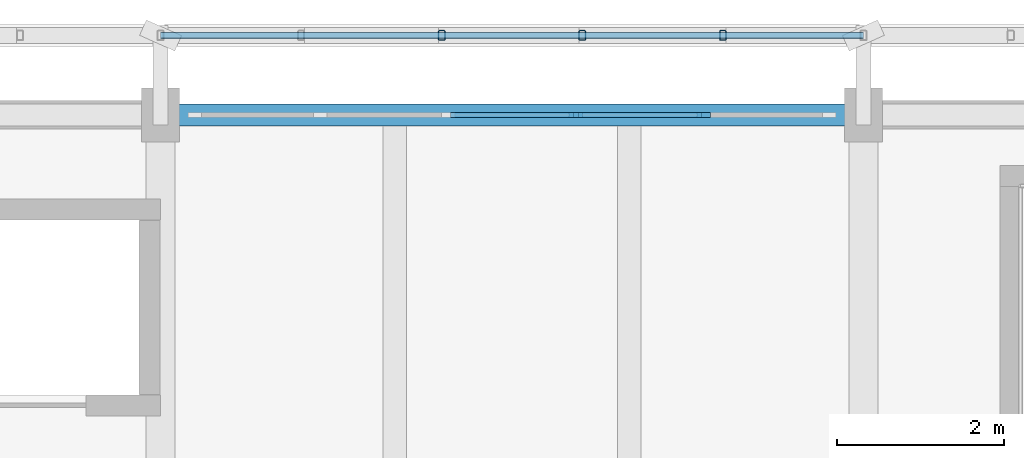
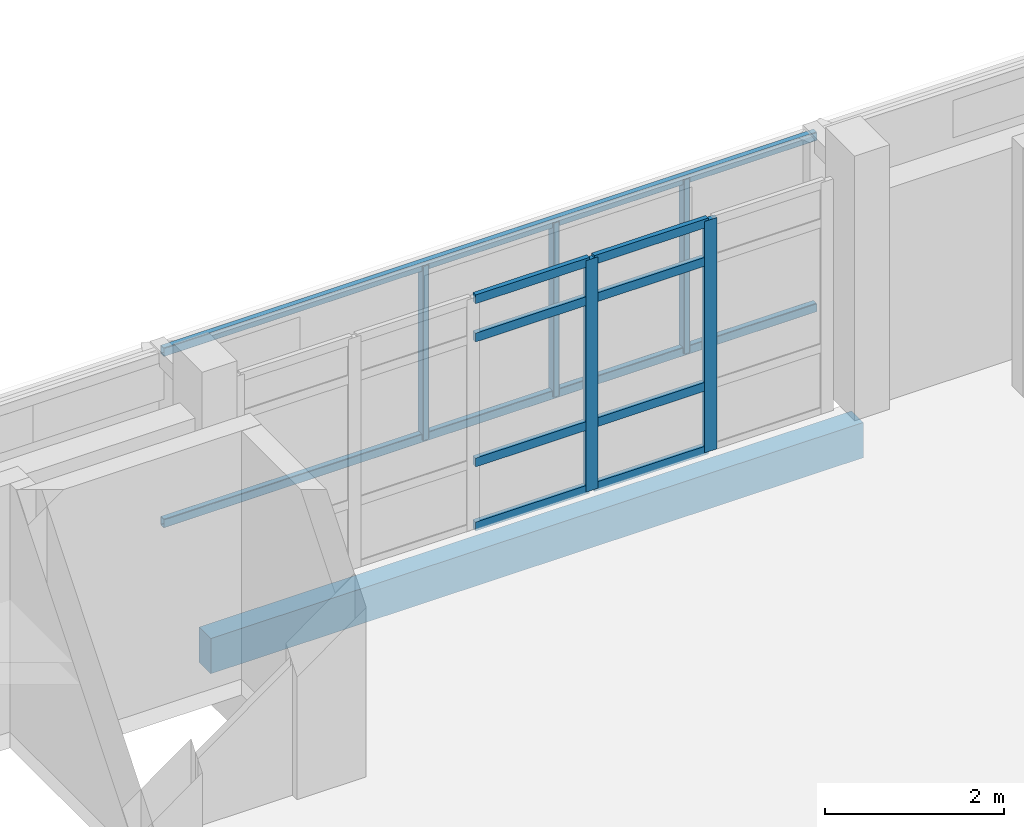
# One storey, part 7 of 30: 15 members, 1 beam, 1 element without a shape of its own.
"""IFC4 building model written with IfcOpenShell, lengths in metres."""

from ifc_helpers import new_model, si_unit, direction, frame, origin, origin_2d, place, context, subcontext, project, spatial, rectangle, hollow_rectangle, extrude, material, material_profile, profile_set, type_object, element, aggregate, save


model = new_model("IFC4")

# Units and contexts
model_context = context("Model", 3, precision=1e-05, world=origin(), true_north=direction((0.0, 1.0)))
body_context = subcontext(model_context, "Body", "Model", "MODEL_VIEW")
ifc_project = project(units=[si_unit("LENGTHUNIT", "METRE"), si_unit("AREAUNIT", "SQUARE_METRE"), si_unit("VOLUMEUNIT", "CUBIC_METRE"), si_unit("PLANEANGLEUNIT", "RADIAN"), si_unit("MASSUNIT", "GRAM", prefix="KILO")], contexts=[model_context])

# Site, building, storey
site_placement = place(None, origin())
site = spatial("IfcSite", under=ifc_project, at=site_placement, CompositionType="ELEMENT")
building_placement = place(site_placement, origin())
building = spatial("IfcBuilding", under=site, at=building_placement, Name="Cinderway Yard Community Centre", CompositionType="ELEMENT")
storey_placement = place(building_placement, frame((0.0, 0.0, 16.5)))
storey = spatial("IfcBuildingStorey", under=building, at=storey_placement, Name="L04", CompositionType="ELEMENT", Elevation=16.5)

# Curtain wall, members
ifc_material_1 = material(Name="Aluminium 6063-T6", Category="aluminium")
curtain_wall_type = type_object("IfcCurtainWallType", Name="ENV-CW-TYPE-32", PredefinedType="USERDEFINED", material=ifc_material_1)
curtain_wall_placement = place(storey_placement, origin())
curtain_wall = element("IfcCurtainWall", 1, at=curtain_wall_placement, inside=storey, type_object=curtain_wall_type, Name="V4 Street Curtain Wall ENV-CW-L04-ST-0179", ObjectType="GLAZED CURTAIN WALL", PredefinedType="USERDEFINED")
ifc_material_profile_1 = material_profile(ifc_material_1, rectangle(XDim=0.06005859375, YDim=0.159912109375, at=origin_2d()), Name="Aluminium 6063-T6")
ifc_profile_set_1 = profile_set([ifc_material_profile_1], Name="Aluminium 6063-T6")
member_type_1 = type_object("IfcMemberType", Name="ENV-CW-MULL-150", PredefinedType="MULLION", material=ifc_profile_set_1)
member_1_placement = place(storey_placement, frame((71.763916015625, 115.199951171875, 0.0), z_axis=(0.0, 0.0, 1.0), x_axis=(0.0, 1.0, 0.0)))
member_1 = element("IfcMember", 2, at=member_1_placement, type_object=member_type_1, Name="CW-32 mullion 4", PredefinedType="MULLION", context=body_context, shape_type="SweptSolid", body=[
    extrude(rectangle(XDim=0.06005859375, YDim=0.159912109375, at=origin_2d()), origin(), (0.0, 0.0, 1.0), 3.14990234375),
])
member_2_placement = place(storey_placement, frame((73.2919921875, 115.199951171875, 0.0), z_axis=(0.0, 0.0, 1.0), x_axis=(0.0, 1.0, 0.0)))
member_2 = element("IfcMember", 3, at=member_2_placement, type_object=member_type_1, Name="CW-32 mullion 5", PredefinedType="MULLION", context=body_context, shape_type="SweptSolid", body=[
    extrude(rectangle(XDim=0.06005859375, YDim=0.159912109375, at=origin_2d()), origin(), (0.0, 0.0, 1.0), 3.14990234375),
])
ifc_material_profile_2 = material_profile(ifc_material_1, rectangle(XDim=0.06005859375, YDim=0.1201171875, at=origin_2d()), Name="Aluminium 6063-T6")
ifc_profile_set_2 = profile_set([ifc_material_profile_2], Name="Aluminium 6063-T6")
member_type_2 = type_object("IfcMemberType", Name="ENV-CW-TRAN-110", PredefinedType="USERDEFINED", material=ifc_profile_set_2)
member_3_placement = place(storey_placement, frame((70.26611328125, 115.199951171875, 0.030029296875), z_axis=(1.0, 0.0, 0.0), x_axis=(0.0, 1.0, 0.0)))
member_3 = element("IfcMember", 4, at=member_3_placement, type_object=member_type_2, Name="CW-32 transom 3.1", ObjectType="TRANSOM", PredefinedType="USERDEFINED", context=body_context, shape_type="SweptSolid", body=[
    extrude(rectangle(XDim=0.06005859375, YDim=0.1201171875, at=origin_2d()), origin(), (0.0, 0.0, 1.0), 1.4677734375),
])
member_4_placement = place(storey_placement, frame((70.26611328125, 115.199951171875, 0.89990234375), z_axis=(1.0, 0.0, 0.0), x_axis=(0.0, 1.0, 0.0)))
member_4 = element("IfcMember", 5, at=member_4_placement, type_object=member_type_2, Name="CW-32 transom 3.2", ObjectType="TRANSOM", PredefinedType="USERDEFINED", context=body_context, shape_type="SweptSolid", body=[
    extrude(rectangle(XDim=0.06005859375, YDim=0.1201171875, at=origin_2d()), origin(), (0.0, 0.0, 1.0), 1.4677734375),
])
member_5_placement = place(storey_placement, frame((70.26611328125, 115.199951171875, 2.60009765625), z_axis=(1.0, 0.0, 0.0), x_axis=(0.0, 1.0, 0.0)))
member_5 = element("IfcMember", 6, at=member_5_placement, type_object=member_type_2, Name="CW-32 transom 3.3", ObjectType="TRANSOM", PredefinedType="USERDEFINED", context=body_context, shape_type="SweptSolid", body=[
    extrude(rectangle(XDim=0.06005859375, YDim=0.1201171875, at=origin_2d()), origin(), (0.0, 0.0, 1.0), 1.4677734375),
])
member_6_placement = place(storey_placement, frame((70.26611328125, 115.199951171875, 3.1201171875), z_axis=(1.0, 0.0, 0.0), x_axis=(0.0, 1.0, 0.0)))
member_6 = element("IfcMember", 7, at=member_6_placement, type_object=member_type_2, Name="CW-32 transom 3.4", ObjectType="TRANSOM", PredefinedType="USERDEFINED", context=body_context, shape_type="SweptSolid", body=[
    extrude(rectangle(XDim=0.06005859375, YDim=0.1201171875, at=origin_2d()), origin(), (0.0, 0.0, 1.0), 1.4677734375),
])
member_7_placement = place(storey_placement, frame((71.7939453125, 115.199951171875, 0.030029296875), z_axis=(1.0, 0.0, 0.0), x_axis=(0.0, 1.0, 0.0)))
member_7 = element("IfcMember", 8, at=member_7_placement, type_object=member_type_2, Name="CW-32 transom 4.1", ObjectType="TRANSOM", PredefinedType="USERDEFINED", context=body_context, shape_type="SweptSolid", body=[
    extrude(rectangle(XDim=0.06005859375, YDim=0.1201171875, at=origin_2d()), origin(), (0.0, 0.0, 1.0), 1.468017578125),
])
member_8_placement = place(storey_placement, frame((71.7939453125, 115.199951171875, 0.89990234375), z_axis=(1.0, 0.0, 0.0), x_axis=(0.0, 1.0, 0.0)))
member_8 = element("IfcMember", 9, at=member_8_placement, type_object=member_type_2, Name="CW-32 transom 4.2", ObjectType="TRANSOM", PredefinedType="USERDEFINED", context=body_context, shape_type="SweptSolid", body=[
    extrude(rectangle(XDim=0.06005859375, YDim=0.1201171875, at=origin_2d()), origin(), (0.0, 0.0, 1.0), 1.468017578125),
])
member_9_placement = place(storey_placement, frame((71.7939453125, 115.199951171875, 2.60009765625), z_axis=(1.0, 0.0, 0.0), x_axis=(0.0, 1.0, 0.0)))
member_9 = element("IfcMember", 10, at=member_9_placement, type_object=member_type_2, Name="CW-32 transom 4.3", ObjectType="TRANSOM", PredefinedType="USERDEFINED", context=body_context, shape_type="SweptSolid", body=[
    extrude(rectangle(XDim=0.06005859375, YDim=0.1201171875, at=origin_2d()), origin(), (0.0, 0.0, 1.0), 1.468017578125),
])
member_10_placement = place(storey_placement, frame((71.7939453125, 115.199951171875, 3.1201171875), z_axis=(1.0, 0.0, 0.0), x_axis=(0.0, 1.0, 0.0)))
member_10 = element("IfcMember", 11, at=member_10_placement, type_object=member_type_2, Name="CW-32 transom 4.4", ObjectType="TRANSOM", PredefinedType="USERDEFINED", context=body_context, shape_type="SweptSolid", body=[
    extrude(rectangle(XDim=0.06005859375, YDim=0.1201171875, at=origin_2d()), origin(), (0.0, 0.0, 1.0), 1.468017578125),
])
aggregate(curtain_wall, [member_1, member_2, member_3, member_4, member_5, member_6, member_7, member_8, member_9, member_10])

# Members
ifc_material_2 = material(Name="Steel S355", Category="steel")
ifc_material_profile_3 = material_profile(ifc_material_2, hollow_rectangle(XDim=0.080078125, YDim=0.1201171875, WallThickness=0.00634765625, InnerFilletRadius=0.00634765625, OuterFilletRadius=0.0126953125, at=origin_2d()), Name="Steel S355")
ifc_profile_set_3 = profile_set([ifc_material_profile_3], Name="Steel S355")
member_type_3 = type_object("IfcMemberType", Name="ENV-MEM-SCREEN-RAIL-120", PredefinedType="STRINGER", material=ifc_profile_set_3)
for number, where, z_axis, x_axis, name in (
    (12, (66.800048828125, 116.14990234375, 0.7099609375), (1.0, 0.0, 0.0), (0.0, 1.0, 0.0), "Screen support rail 0269-BOT"),
    (13, (66.800048828125, 116.14990234375, 3.0400390625), (1.0, 0.0, 0.0), (0.0, 1.0, 0.0), "Screen support rail 0270-TOP"),
):
    element("IfcMember", number, at=place(storey_placement, frame(where, z_axis=z_axis, x_axis=x_axis)), inside=storey, type_object=member_type_3, Name=name, PredefinedType="STRINGER", context=body_context, shape_type="SweptSolid", body=[
        extrude(hollow_rectangle(XDim=0.080078125, YDim=0.1201171875, WallThickness=0.00634765625, InnerFilletRadius=0.00634765625, OuterFilletRadius=0.0126953125, at=origin_2d()), origin(), (0.0, 0.0, 1.0), 8.39990234375),
    ])
for number, where, z_axis, x_axis, name in (
    (14, (70.159912109375, 116.14990234375, 0.68994140625), (0.0, 0.0, 1.0), (1.0, 0.0, 0.0), "Screen vertical mullion 0272"),
    (15, (71.840087890625, 116.14990234375, 0.68994140625), (0.0, 0.0, 1.0), (1.0, 0.0, 0.0), "Screen vertical mullion 0273"),
    (16, (73.52001953125, 116.14990234375, 0.68994140625), (0.0, 0.0, 1.0), (1.0, 0.0, 0.0), "Screen vertical mullion 0274"),
):
    element("IfcMember", number, at=place(storey_placement, frame(where, z_axis=z_axis, x_axis=x_axis)), inside=storey, type_object=member_type_3, Name=name, PredefinedType="STRINGER", context=body_context, shape_type="SweptSolid", body=[
        extrude(hollow_rectangle(XDim=0.080078125, YDim=0.1201171875, WallThickness=0.00634765625, InnerFilletRadius=0.00634765625, OuterFilletRadius=0.0126953125, at=origin_2d()), origin(), (0.0, 0.0, 1.0), 2.3701171875),
    ])

# Beam
ifc_material_3 = material(Name="Concrete C40/50", Category="concrete")
ifc_material_profile_4 = material_profile(ifc_material_3, rectangle(XDim=0.260009765625, YDim=0.47998046875, at=origin_2d()), Name="Concrete C40/50")
ifc_profile_set_4 = profile_set([ifc_material_profile_4], Name="Concrete C40/50")
beam_type = type_object("IfcBeamType", Name="STR-BM-RC260X480", PredefinedType="SPANDREL", material=ifc_profile_set_4)
beam_placement = place(storey_placement, frame((66.800048828125, 115.199951171875, -0.4599609375), z_axis=(1.0, 0.0, 0.0), x_axis=(0.0, 1.0, 0.0)))
element("IfcBeam", 17, at=beam_placement, inside=storey, type_object=beam_type, Name="Primary girder STR-BM-L04-SP01-0835", PredefinedType="SPANDREL", context=body_context, shape_type="SweptSolid", body=[
    extrude(rectangle(XDim=0.260009765625, YDim=0.47998046875, at=origin_2d()), origin(), (0.0, 0.0, 1.0), 8.39990234375),
])

save(model, "model.ifc")
